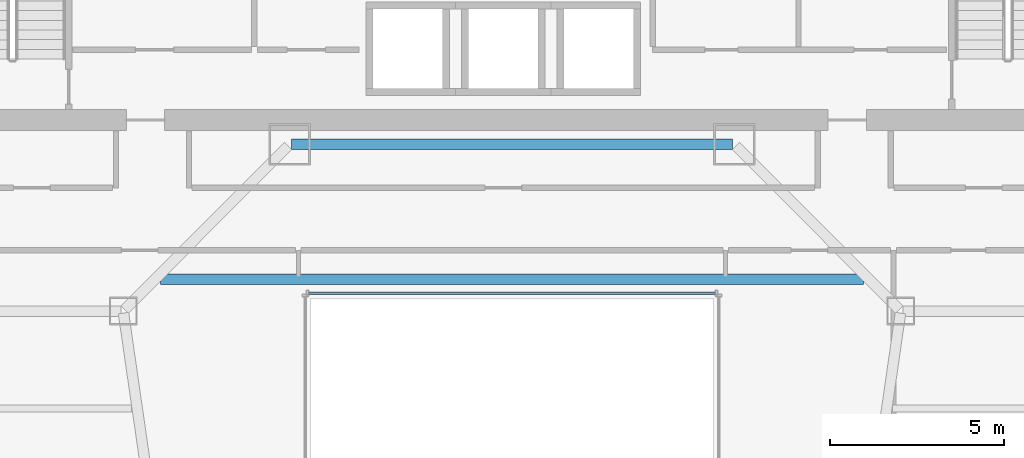
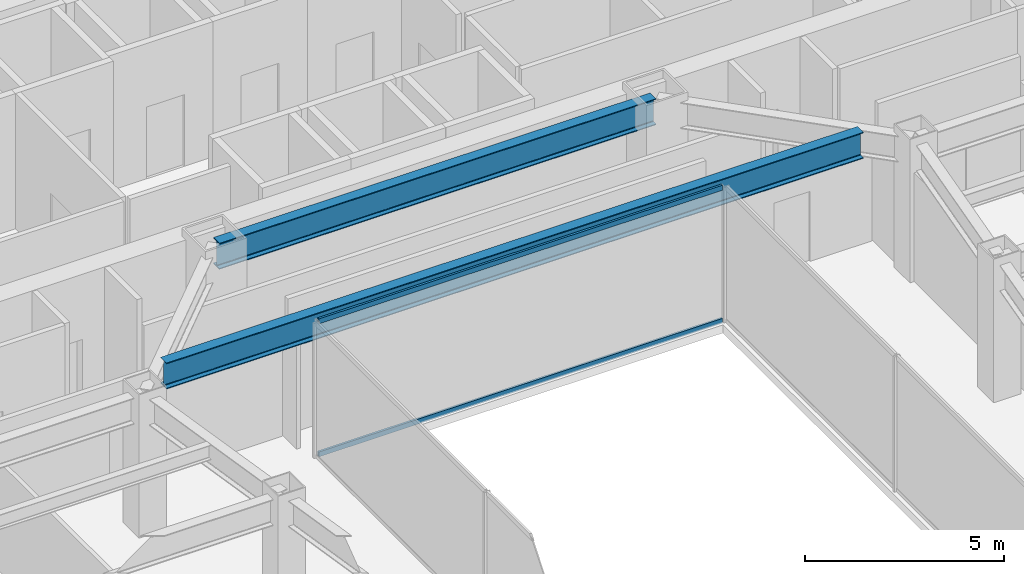
# One storey, part 25 of 47: 2 beams, 2 members, 1 element without a shape of its own.
"""IFC4 building model written with IfcOpenShell, lengths in metres."""

from ifc_helpers import new_model, si_unit, direction, frame, origin, origin_2d, place, context, subcontext, project, spatial, hollow_rectangle, i_section, extrude, material, material_profile, profile_set, type_object, element, aggregate, save


model = new_model("IFC4")

# Units and contexts
model_context = context("Model", 3, precision=1e-05, world=origin(), true_north=direction((0.0, 1.0)))
body_context = subcontext(model_context, "Body", "Model", "MODEL_VIEW")
ifc_project = project(units=[si_unit("LENGTHUNIT", "METRE"), si_unit("AREAUNIT", "SQUARE_METRE"), si_unit("VOLUMEUNIT", "CUBIC_METRE"), si_unit("PLANEANGLEUNIT", "RADIAN"), si_unit("MASSUNIT", "GRAM", prefix="KILO")], contexts=[model_context])

# Site, building, storey
site_placement = place(None, origin())
site = spatial("IfcSite", under=ifc_project, at=site_placement, CompositionType="ELEMENT")
building_placement = place(site_placement, origin())
building = spatial("IfcBuilding", under=site, at=building_placement, Name="Saevonmaru Cultural Tower", CompositionType="ELEMENT")
storey_placement = place(building_placement, frame((0.0, 0.0, 56.0)))
storey = spatial("IfcBuildingStorey", under=building, at=storey_placement, Name="L11", CompositionType="ELEMENT", Elevation=56.0)

# Beams
ifc_material_1 = material(Name="Steel SM420", Category="steel")
ifc_material_profile_1 = material_profile(ifc_material_1, i_section(OverallWidth=0.300048828125, OverallDepth=0.800048828125, WebThickness=0.013916015625, FlangeThickness=0.02587890625, FilletRadius=0.028076171875, at=origin_2d()), Name="H-800x300x14x26")
ifc_profile_set_1 = profile_set([ifc_material_profile_1], Name="Steel SM420")
beam_type = type_object("IfcBeamType", Name="BM-G-H800", PredefinedType="BEAM", material=ifc_profile_set_1)
beam_1_placement = place(storey_placement, frame((23.659912109375, 42.39990234375, 3.75), z_axis=(1.0, 0.0, 0.0), x_axis=(0.0, 1.0, 0.0)))
element("IfcBeam", 1, at=beam_1_placement, inside=storey, type_object=beam_type, Name="L11 Core South Girder 3", PredefinedType="BEAM", context=body_context, shape_type="SweptSolid", body=[
    extrude(i_section(OverallWidth=0.300048828125, OverallDepth=0.800048828125, WebThickness=0.013916015625, FlangeThickness=0.02587890625, FilletRadius=0.028076171875, at=origin_2d()), origin(), (0.0, 0.0, 1.0), 12.68017578125),
])
beam_2_placement = place(storey_placement, frame((19.884521484375, 38.52001953125, 3.75), z_axis=(1.0, 0.0, 0.0), x_axis=(0.0, 1.0, 0.0)))
element("IfcBeam", 2, at=beam_2_placement, inside=storey, type_object=beam_type, Name="L11 Central Link Girder", PredefinedType="BEAM", context=body_context, shape_type="SweptSolid", body=[
    extrude(i_section(OverallWidth=0.300048828125, OverallDepth=0.800048828125, WebThickness=0.013916015625, FlangeThickness=0.02587890625, FilletRadius=0.028076171875, at=origin_2d()), origin(), (0.0, 0.0, 1.0), 20.23095703125),
])

# Curtain wall, members
ifc_material_2 = material(Name="Satin Bronze Anodised Aluminium", Category="aluminium")
curtain_wall_type = type_object("IfcCurtainWallType", Name="CW-ATR-GLZ", PredefinedType="NOTDEFINED", material=ifc_material_2)
curtain_wall_placement = place(storey_placement, origin())
curtain_wall = element("IfcCurtainWall", 3, at=curtain_wall_placement, inside=storey, type_object=curtain_wall_type, Name="L11 Vertical Atrium Glazed Smoke Screen 3", PredefinedType="NOTDEFINED")
ifc_material_profile_2 = material_profile(ifc_material_2, hollow_rectangle(XDim=0.06494140625, YDim=0.14990234375, WallThickness=0.00390625, at=origin_2d()), Name="ALU-TRAN-150x65x4")
ifc_profile_set_2 = profile_set([ifc_material_profile_2], Name="Satin Bronze Anodised Aluminium")
member_type = type_object("IfcMemberType", Name="TR-CW-INT-150x65", PredefinedType="USERDEFINED", material=ifc_profile_set_2)
member_1_placement = place(storey_placement, frame((35.857421875, 38.110107421875, 0.032470703125), z_axis=(-1.0, 0.0, 0.0), x_axis=(0.0, -1.0, 0.0)))
member_1 = element("IfcMember", 4, at=member_1_placement, type_object=member_type, Name="CW-ATR-L11-3 transom 1.1", ObjectType="TRANSOM", PredefinedType="USERDEFINED", context=body_context, shape_type="SweptSolid", body=[
    extrude(hollow_rectangle(XDim=0.06494140625, YDim=0.14990234375, WallThickness=0.00390625, at=origin_2d()), origin(), (0.0, 0.0, 1.0), 11.71484375),
])
member_2_placement = place(storey_placement, frame((35.857421875, 38.110107421875, 4.117431640625), z_axis=(-1.0, 0.0, 0.0), x_axis=(0.0, -1.0, 0.0)))
member_2 = element("IfcMember", 5, at=member_2_placement, type_object=member_type, Name="CW-ATR-L11-3 transom 1.2", ObjectType="TRANSOM", PredefinedType="USERDEFINED", context=body_context, shape_type="SweptSolid", body=[
    extrude(hollow_rectangle(XDim=0.06494140625, YDim=0.14990234375, WallThickness=0.00390625, at=origin_2d()), origin(), (0.0, 0.0, 1.0), 11.71484375),
])
aggregate(curtain_wall, [member_1, member_2])

save(model, "model.ifc")
